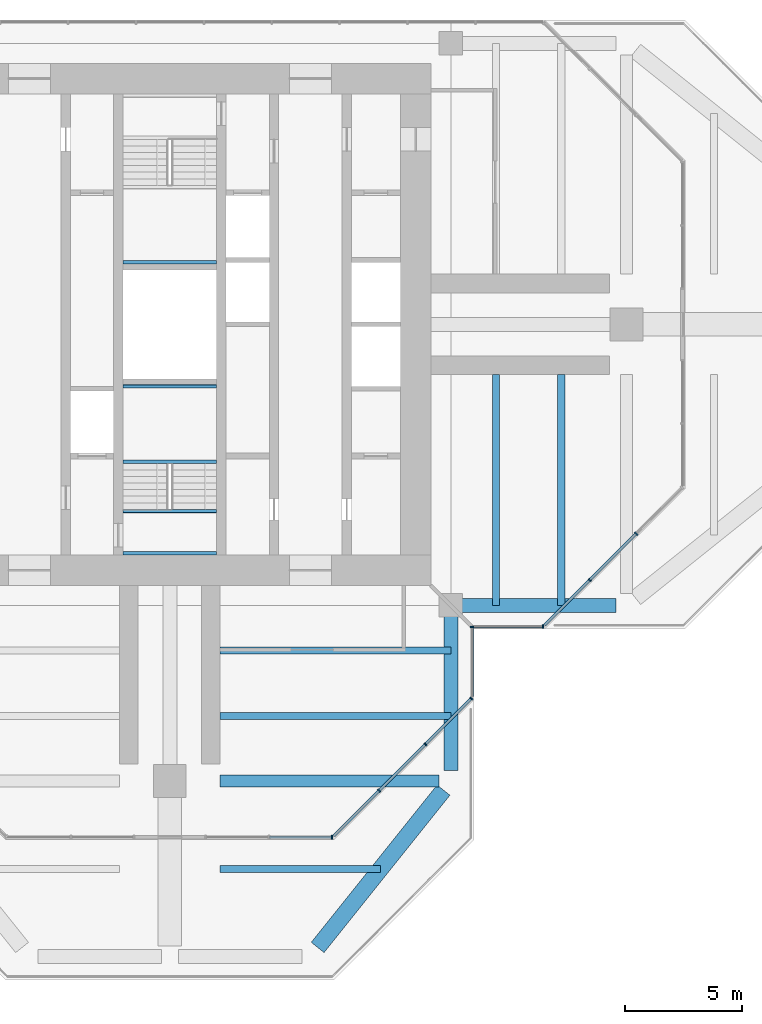
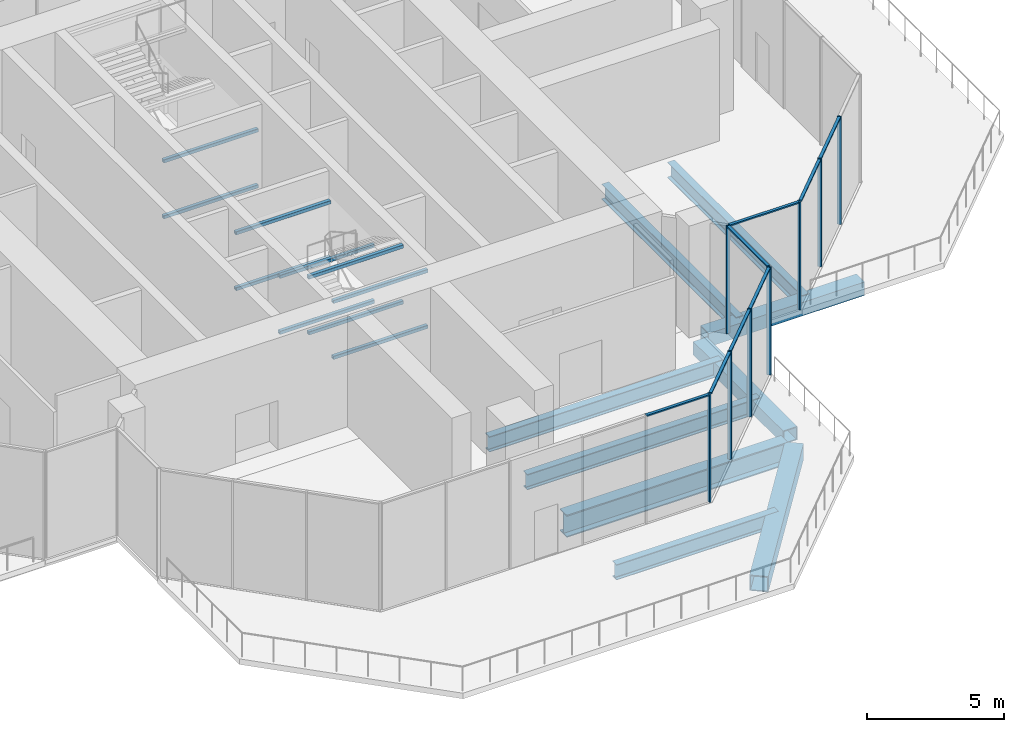
# One storey, part 4 of 13: 19 beams, 16 members, 5 elements without a shape of their own.
"""IFC4 building model written with IfcOpenShell, lengths in metres."""

from ifc_helpers import new_model, si_unit, direction, frame, origin, origin_2d, place, context, subcontext, project, spatial, rectangle, hollow_rectangle, i_section, extrude, material, material_profile, profile_set, type_object, element, aggregate, save


model = new_model("IFC4")

# Units and contexts
model_context = context("Model", 3, precision=1e-05, world=origin(), true_north=direction((0.0, 1.0)))
body_context = subcontext(model_context, "Body", "Model", "MODEL_VIEW")
ifc_project = project(units=[si_unit("LENGTHUNIT", "METRE"), si_unit("AREAUNIT", "SQUARE_METRE"), si_unit("VOLUMEUNIT", "CUBIC_METRE"), si_unit("PLANEANGLEUNIT", "RADIAN"), si_unit("MASSUNIT", "GRAM", prefix="KILO")], contexts=[model_context])

# Site, building, storey
site_placement = place(None, origin())
site = spatial("IfcSite", under=ifc_project, at=site_placement, CompositionType="ELEMENT")
building_placement = place(site_placement, origin())
building = spatial("IfcBuilding", under=site, at=building_placement, Name="Mizan Broadcast Tower", CompositionType="ELEMENT")
storey_placement = place(building_placement, frame((0.0, 0.0, 306.300048828125)))
storey = spatial("IfcBuildingStorey", under=building, at=storey_placement, Name="L73", CompositionType="ELEMENT", Elevation=306.300048828125)

# Beams
ifc_material_1 = material(Name="Steel S355", Category="steel")
ifc_material_profile_1 = material_profile(ifc_material_1, hollow_rectangle(XDim=0.60009765625, YDim=0.60009765625, WallThickness=0.0400390625, at=origin_2d()), Name="BOX 600x600x40")
ifc_profile_set_1 = profile_set([ifc_material_profile_1], Name="Steel S355")
beam_type_1 = type_object("IfcBeamType", Name="EDGE BEAM BOX 600x600x40", PredefinedType="SPANDREL", material=ifc_profile_set_1)
for number, where, z_axis, x_axis, name in (
    (1, (12.449951171875, -12.0, -0.550048828125), (1.0, 0.0, 0.0), (0.0, 1.0, 0.0), "Edge beam BOX 600x600x40 L73 east arm"),
    (2, (12.0, -12.449951171875, -0.550048828125), (0.0, -1.0, 0.0), (1.0, 0.0, 0.0), "Edge beam BOX 600x600x40 L73 south arm"),
):
    element("IfcBeam", number, at=place(storey_placement, frame(where, z_axis=z_axis, x_axis=x_axis)), inside=storey, type_object=beam_type_1, Name=name, PredefinedType="SPANDREL", context=body_context, shape_type="SweptSolid", body=[
        extrude(hollow_rectangle(XDim=0.60009765625, YDim=0.60009765625, WallThickness=0.0400390625, at=origin_2d()), origin(), (0.0, 0.0, 1.0), 6.60009765625),
    ])
ifc_material_2 = material(Name="Steel S355", Category="steel")
ifc_material_profile_2 = material_profile(ifc_material_2, hollow_rectangle(XDim=0.699951171875, YDim=0.699951171875, WallThickness=0.0400390625, at=origin_2d()), Name="BOX 700x700x40")
ifc_profile_set_2 = profile_set([ifc_material_profile_2], Name="Steel S355")
beam_type_2 = type_object("IfcBeamType", Name="EDGE BEAM BOX 700x700x40", PredefinedType="SPANDREL", material=ifc_profile_set_2)
beam_1_placement = place(storey_placement, frame((11.687744140625, -19.890380859375, -0.60009765625), z_axis=(-0.62470196761, -0.780863273348, 0.0), x_axis=(0.780863273348, -0.62470196761, 0.0)))
element("IfcBeam", 3, at=beam_1_placement, inside=storey, type_object=beam_type_2, Name="Edge beam BOX 700x700x40 L73 south arm", PredefinedType="SPANDREL", context=body_context, shape_type="SweptSolid", body=[
    extrude(hollow_rectangle(XDim=0.699951171875, YDim=0.699951171875, WallThickness=0.0400390625, at=origin_2d()), origin(), (0.0, 0.0, 1.0), 8.60498046875),
])
ifc_material_3 = material(Name="Steel S460", Category="steel")
ifc_material_profile_3 = material_profile(ifc_material_3, i_section(OverallWidth=0.5, OverallDepth=1.0, WebThickness=0.02490234375, FlangeThickness=0.050048828125, at=origin_2d()), Name="WPG 1000x500")
ifc_profile_set_3 = profile_set([ifc_material_profile_3], Name="Steel S460")
beam_type_3 = type_object("IfcBeamType", Name="GIRDER WPG 1000x500", PredefinedType="BEAM", material=ifc_profile_set_3)
beam_2_placement = place(storey_placement, frame((11.5, -19.5, -0.75), z_axis=(-1.0, 0.0, 0.0), x_axis=(0.0, -1.0, 0.0)))
element("IfcBeam", 4, at=beam_2_placement, inside=storey, type_object=beam_type_3, Name="Girder WPG 1000x500 L73 south arm", PredefinedType="BEAM", context=body_context, shape_type="SweptSolid", body=[
    extrude(i_section(OverallWidth=0.5, OverallDepth=1.0, WebThickness=0.02490234375, FlangeThickness=0.050048828125, at=origin_2d()), origin(), (0.0, 0.0, 1.0), 9.35009765625),
])

# Curtain wall, member
ifc_material_4 = material(Name="Aluminium framed glazing", Category="aluminium")
curtain_wall_type = type_object("IfcCurtainWallType", Name="LANTERN", PredefinedType="USERDEFINED", material=ifc_material_4)
curtain_wall_1_placement = place(storey_placement, origin())
curtain_wall_1 = element("IfcCurtainWall", 5, at=curtain_wall_1_placement, inside=storey, type_object=curtain_wall_type, Name="Lantern L73 E side", ObjectType="LANTERN", PredefinedType="USERDEFINED")
ifc_material_5 = material(Name="Aluminium, pale anodised", Category="aluminium")
ifc_material_profile_4 = material_profile(ifc_material_5, rectangle(XDim=0.159912109375, YDim=0.06005859375, at=origin_2d()), Name="MULLION 160x60")
ifc_profile_set_4 = profile_set([ifc_material_profile_4], Name="Aluminium, pale anodised")
member_type_1 = type_object("IfcMemberType", Name="INNER SKIN MULLION 60x160", PredefinedType="MULLION", material=ifc_profile_set_4)
member_1_placement = place(storey_placement, frame((15.928466796875, -12.89990234375, 0.0), z_axis=(0.0, 0.0, 1.0), x_axis=(0.0, 1.0, 0.0)))
member_1 = element("IfcMember", 6, at=member_1_placement, type_object=member_type_1, Name="Lantern L73 E side mullion 2", PredefinedType="MULLION", context=body_context, shape_type="SweptSolid", body=[
    extrude(rectangle(XDim=0.159912109375, YDim=0.06005859375, at=origin_2d()), origin(), (0.0, 0.0, 1.0), 4.820068359375),
])

# Curtain wall, members
curtain_wall_2_placement = place(storey_placement, origin())
curtain_wall_2 = element("IfcCurtainWall", 7, at=curtain_wall_2_placement, inside=storey, type_object=curtain_wall_type, Name="Lantern L73 E chamfer", ObjectType="LANTERN", PredefinedType="USERDEFINED")
member_2_placement = place(storey_placement, frame((17.93896484375, -10.91943359375, 0.0), z_axis=(0.0, 0.0, 1.0), x_axis=(-0.707106781187, 0.707106781187, 0.0)))
member_2 = element("IfcMember", 8, at=member_2_placement, type_object=member_type_1, Name="Lantern L73 E chamfer mullion 2", PredefinedType="MULLION", context=body_context, shape_type="SweptSolid", body=[
    extrude(rectangle(XDim=0.159912109375, YDim=0.06005859375, at=origin_2d()), origin(), (0.0, 0.0, 1.0), 4.820068359375),
])
member_3_placement = place(storey_placement, frame((19.91943359375, -8.93896484375, 0.0), z_axis=(0.0, 0.0, 1.0), x_axis=(-0.707106781187, 0.707106781187, 0.0)))
member_3 = element("IfcMember", 9, at=member_3_placement, type_object=member_type_1, Name="Lantern L73 E chamfer mullion 3", PredefinedType="MULLION", context=body_context, shape_type="SweptSolid", body=[
    extrude(rectangle(XDim=0.159912109375, YDim=0.06005859375, at=origin_2d()), origin(), (0.0, 0.0, 1.0), 4.820068359375),
])

# Curtain wall, member
curtain_wall_3_placement = place(storey_placement, origin())
curtain_wall_3 = element("IfcCurtainWall", 10, at=curtain_wall_3_placement, inside=storey, type_object=curtain_wall_type, Name="Lantern L73 S end", ObjectType="LANTERN", PredefinedType="USERDEFINED")
member_4_placement = place(storey_placement, frame((6.928466796875, -21.89990234375, 0.0), z_axis=(0.0, 0.0, 1.0), x_axis=(0.0, 1.0, 0.0)))
member_4 = element("IfcMember", 11, at=member_4_placement, type_object=member_type_1, Name="Lantern L73 S end mullion 3", PredefinedType="MULLION", context=body_context, shape_type="SweptSolid", body=[
    extrude(rectangle(XDim=0.159912109375, YDim=0.06005859375, at=origin_2d()), origin(), (0.0, 0.0, 1.0), 4.820068359375),
])

# Curtain wall, members
curtain_wall_4_placement = place(storey_placement, origin())
curtain_wall_4 = element("IfcCurtainWall", 12, at=curtain_wall_4_placement, inside=storey, type_object=curtain_wall_type, Name="Lantern L73 S chamfer", ObjectType="LANTERN", PredefinedType="USERDEFINED")
member_5_placement = place(storey_placement, frame((8.93896484375, -19.91943359375, 0.0), z_axis=(0.0, 0.0, 1.0), x_axis=(-0.707106781187, 0.707106781187, 0.0)))
member_5 = element("IfcMember", 13, at=member_5_placement, type_object=member_type_1, Name="Lantern L73 S chamfer mullion 2", PredefinedType="MULLION", context=body_context, shape_type="SweptSolid", body=[
    extrude(rectangle(XDim=0.159912109375, YDim=0.06005859375, at=origin_2d()), origin(), (0.0, 0.0, 1.0), 4.820068359375),
])
member_6_placement = place(storey_placement, frame((10.91943359375, -17.93896484375, 0.0), z_axis=(0.0, 0.0, 1.0), x_axis=(-0.707106781187, 0.707106781187, 0.0)))
member_6 = element("IfcMember", 14, at=member_6_placement, type_object=member_type_1, Name="Lantern L73 S chamfer mullion 3", PredefinedType="MULLION", context=body_context, shape_type="SweptSolid", body=[
    extrude(rectangle(XDim=0.159912109375, YDim=0.06005859375, at=origin_2d()), origin(), (0.0, 0.0, 1.0), 4.820068359375),
])
member_7_placement = place(storey_placement, frame((12.87890625, -15.979736328125, 0.0), z_axis=(0.0, 0.0, 1.0), x_axis=(-0.707106781187, 0.707106781187, 0.0)))
member_7 = element("IfcMember", 15, at=member_7_placement, type_object=member_type_1, Name="Lantern L73 S chamfer mullion 4", PredefinedType="MULLION", context=body_context, shape_type="SweptSolid", body=[
    extrude(rectangle(XDim=0.159912109375, YDim=0.06005859375, at=origin_2d()), origin(), (0.0, 0.0, 1.0), 4.820068359375),
])

# Curtain wall, member
curtain_wall_5_placement = place(storey_placement, origin())
curtain_wall_5 = element("IfcCurtainWall", 16, at=curtain_wall_5_placement, inside=storey, type_object=curtain_wall_type, Name="Lantern L73 S side", ObjectType="LANTERN", PredefinedType="USERDEFINED")
member_8_placement = place(storey_placement, frame((12.89990234375, -12.929931640625, 0.0), z_axis=(0.0, 0.0, 1.0), x_axis=(-1.0, 0.0, 0.0)))
member_8 = element("IfcMember", 17, at=member_8_placement, type_object=member_type_1, Name="Lantern L73 S side mullion 2", PredefinedType="MULLION", context=body_context, shape_type="SweptSolid", body=[
    extrude(rectangle(XDim=0.159912109375, YDim=0.06005859375, at=origin_2d()), origin(), (0.0, 0.0, 1.0), 4.820068359375),
])

# Member
ifc_material_6 = material(Name="Aluminium, pale anodised", Category="aluminium")
ifc_material_profile_5 = material_profile(ifc_material_6, rectangle(XDim=0.1201171875, YDim=0.06005859375, at=origin_2d()), Name="TRANSOM 120x60")
ifc_profile_set_5 = profile_set([ifc_material_profile_5], Name="Aluminium, pale anodised")
member_type_2 = type_object("IfcMemberType", Name="INNER SKIN TRANSOM 60x120", PredefinedType="USERDEFINED", material=ifc_profile_set_5)
member_9_placement = place(storey_placement, frame((12.9599609375, -12.89990234375, 4.7900390625), z_axis=(1.0, 0.0, 0.0), x_axis=(0.0, 1.0, 0.0)))
member_9 = element("IfcMember", 18, at=member_9_placement, type_object=member_type_2, Name="Lantern L73 E side transom 1.1", ObjectType="TRANSOM", PredefinedType="USERDEFINED", context=body_context, shape_type="SweptSolid", body=[
    extrude(rectangle(XDim=0.1201171875, YDim=0.06005859375, at=origin_2d()), origin(), (0.0, 0.0, 1.0), 2.938720703125),
])

aggregate(curtain_wall_1, [member_1, member_9])

member_10_placement = place(storey_placement, frame((16.0009765625, -12.857666015625, 4.7900390625), z_axis=(0.707061749709, 0.707151809797, 0.0), x_axis=(-0.707151809797, 0.707061749709, 0.0)))
member_10 = element("IfcMember", 19, at=member_10_placement, type_object=member_type_2, Name="Lantern L73 E chamfer transom 1.1", ObjectType="TRANSOM", PredefinedType="USERDEFINED", context=body_context, shape_type="SweptSolid", body=[
    extrude(rectangle(XDim=0.1201171875, YDim=0.06005859375, at=origin_2d()), origin(), (0.0, 0.0, 1.0), 2.7109375),
])

member_11_placement = place(storey_placement, frame((17.960205078125, -10.898193359375, 4.7900390625), z_axis=(0.707106781187, 0.707106781187, 0.0), x_axis=(-0.707106781187, 0.707106781187, 0.0)))
member_11 = element("IfcMember", 20, at=member_11_placement, type_object=member_type_2, Name="Lantern L73 E chamfer transom 2.1", ObjectType="TRANSOM", PredefinedType="USERDEFINED", context=body_context, shape_type="SweptSolid", body=[
    extrude(rectangle(XDim=0.1201171875, YDim=0.06005859375, at=origin_2d()), origin(), (0.0, 0.0, 1.0), 2.74072265625),
])

aggregate(curtain_wall_2, [member_2, member_3, member_10, member_11])

member_12_placement = place(storey_placement, frame((4.25927734375, -21.89990234375, 4.7900390625), z_axis=(1.0, 0.0, 0.0), x_axis=(0.0, 1.0, 0.0)))
member_12 = element("IfcMember", 21, at=member_12_placement, type_object=member_type_2, Name="Lantern L73 S end transom 2.1", ObjectType="TRANSOM", PredefinedType="USERDEFINED", context=body_context, shape_type="SweptSolid", body=[
    extrude(rectangle(XDim=0.1201171875, YDim=0.06005859375, at=origin_2d()), origin(), (0.0, 0.0, 1.0), 2.639404296875),
])

aggregate(curtain_wall_3, [member_4, member_12])

member_13_placement = place(storey_placement, frame((7.0009765625, -21.857666015625, 4.7900390625), z_axis=(0.707061749709, 0.707151809797, 0.0), x_axis=(-0.707151809797, 0.707061749709, 0.0)))
member_13 = element("IfcMember", 22, at=member_13_placement, type_object=member_type_2, Name="Lantern L73 S chamfer transom 1.1", ObjectType="TRANSOM", PredefinedType="USERDEFINED", context=body_context, shape_type="SweptSolid", body=[
    extrude(rectangle(XDim=0.1201171875, YDim=0.06005859375, at=origin_2d()), origin(), (0.0, 0.0, 1.0), 2.7109375),
])

member_14_placement = place(storey_placement, frame((8.960205078125, -19.898193359375, 4.7900390625), z_axis=(0.707106781187, 0.707106781187, 0.0), x_axis=(-0.707106781187, 0.707106781187, 0.0)))
member_14 = element("IfcMember", 23, at=member_14_placement, type_object=member_type_2, Name="Lantern L73 S chamfer transom 2.1", ObjectType="TRANSOM", PredefinedType="USERDEFINED", context=body_context, shape_type="SweptSolid", body=[
    extrude(rectangle(XDim=0.1201171875, YDim=0.06005859375, at=origin_2d()), origin(), (0.0, 0.0, 1.0), 2.74072265625),
])

member_15_placement = place(storey_placement, frame((10.940673828125, -17.917724609375, 4.7900390625), z_axis=(0.707151809797, 0.707061749709, 0.0), x_axis=(-0.707061749709, 0.707151809797, 0.0)))
member_15 = element("IfcMember", 24, at=member_15_placement, type_object=member_type_2, Name="Lantern L73 S chamfer transom 3.1", ObjectType="TRANSOM", PredefinedType="USERDEFINED", context=body_context, shape_type="SweptSolid", body=[
    extrude(rectangle(XDim=0.1201171875, YDim=0.06005859375, at=origin_2d()), origin(), (0.0, 0.0, 1.0), 2.7109375),
])

aggregate(curtain_wall_4, [member_5, member_6, member_7, member_13, member_14, member_15])

member_16_placement = place(storey_placement, frame((12.89990234375, -15.898681640625, 4.7900390625), z_axis=(0.0, 1.0, 0.0), x_axis=(-1.0, 0.0, 0.0)))
member_16 = element("IfcMember", 25, at=member_16_placement, type_object=member_type_2, Name="Lantern L73 S side transom 1.1", ObjectType="TRANSOM", PredefinedType="USERDEFINED", context=body_context, shape_type="SweptSolid", body=[
    extrude(rectangle(XDim=0.1201171875, YDim=0.06005859375, at=origin_2d()), origin(), (0.0, 0.0, 1.0), 2.938720703125),
])

aggregate(curtain_wall_5, [member_8, member_16])

# Beams
ifc_material_7 = material(Name="Steel S355", Category="steel")
ifc_material_profile_6 = material_profile(ifc_material_7, hollow_rectangle(XDim=0.14990234375, YDim=0.14990234375, WallThickness=0.008056640625, InnerFilletRadius=0.008056640625, OuterFilletRadius=0.011962890625, at=origin_2d()), Name="SHS 150x150x8")
ifc_profile_set_6 = profile_set([ifc_material_profile_6], Name="Steel S355")
beam_type_4 = type_object("IfcBeamType", Name="LANDING TRIMMER SHS 150x150x8", PredefinedType="BEAM", material=ifc_profile_set_6)
for number, where, z_axis, x_axis, name in (
    (26, (-2.0, -5.864990234375, 0.974853515625), (1.0, 0.0, 0.0), (0.0, 1.0, 0.0), "Stair A landing trimmer L73"),
    (27, (-2.0, -2.64990234375, 0.974853515625), (1.0, 0.0, 0.0), (0.0, 1.0, 0.0), "Stair A landing trimmer L73"),
    (28, (-2.0, -9.77490234375, 2.224853515625), (1.0, 0.0, 0.0), (0.0, 1.0, 0.0), "Stair A landing trimmer L73"),
    (29, (-2.0, -7.97509765625, 2.224853515625), (1.0, 0.0, 0.0), (0.0, 1.0, 0.0), "Stair A landing trimmer L73"),
    (30, (-2.0, -5.864990234375, 3.474853515625), (1.0, 0.0, 0.0), (0.0, 1.0, 0.0), "Stair A landing trimmer L73"),
    (31, (-2.0, -2.64990234375, 3.474853515625), (1.0, 0.0, 0.0), (0.0, 1.0, 0.0), "Stair A landing trimmer L73"),
    (32, (-2.0, -9.77490234375, 4.724853515625), (1.0, 0.0, 0.0), (0.0, 1.0, 0.0), "Stair A landing trimmer L73"),
    (33, (-2.0, -7.97509765625, 4.724853515625), (1.0, 0.0, 0.0), (0.0, 1.0, 0.0), "Stair A landing trimmer L73"),
    (34, (2.0, 2.64990234375, 0.974853515625), (-1.0, 0.0, 0.0), (0.0, -1.0, 0.0), "Stair B landing trimmer L73"),
    (35, (2.0, 2.64990234375, 3.474853515625), (-1.0, 0.0, 0.0), (0.0, -1.0, 0.0), "Stair B landing trimmer L73"),
):
    element("IfcBeam", number, at=place(storey_placement, frame(where, z_axis=z_axis, x_axis=x_axis)), inside=storey, type_object=beam_type_4, Name=name, PredefinedType="BEAM", context=body_context, shape_type="SweptSolid", body=[
        extrude(hollow_rectangle(XDim=0.14990234375, YDim=0.14990234375, WallThickness=0.008056640625, InnerFilletRadius=0.008056640625, OuterFilletRadius=0.011962890625, at=origin_2d()), origin(), (0.0, 0.0, 1.0), 4.0),
    ])
ifc_material_8 = material(Name="Steel S355", Category="steel")
ifc_material_profile_7 = material_profile(ifc_material_8, i_section(OverallWidth=0.300048828125, OverallDepth=0.68994140625, WebThickness=0.014404296875, FlangeThickness=0.027099609375, FilletRadius=0.027099609375, at=origin_2d()), Name="HEA 700")
ifc_profile_set_7 = profile_set([ifc_material_profile_7], Name="Steel S355")
beam_type_5 = type_object("IfcBeamType", Name="SECONDARY BEAM HEA 700", PredefinedType="JOIST", material=ifc_profile_set_7)
for number, where, z_axis, x_axis, name in (
    (36, (13.933349609375, -12.0, -0.525146484375), (0.0, 1.0, 0.0), (-1.0, 0.0, 0.0), "Secondary beam HEA 700 L73 east arm"),
    (37, (16.716552734375, -12.0, -0.525146484375), (0.0, 1.0, 0.0), (-1.0, 0.0, 0.0), "Secondary beam HEA 700 L73 east arm"),
    (38, (12.0, -13.933349609375, -0.525146484375), (-1.0, 0.0, 0.0), (0.0, -1.0, 0.0), "Secondary beam HEA 700 L73 south arm"),
    (39, (12.0, -16.716552734375, -0.525146484375), (-1.0, 0.0, 0.0), (0.0, -1.0, 0.0), "Secondary beam HEA 700 L73 south arm"),
):
    element("IfcBeam", number, at=place(storey_placement, frame(where, z_axis=z_axis, x_axis=x_axis)), inside=storey, type_object=beam_type_5, Name=name, PredefinedType="JOIST", context=body_context, shape_type="SweptSolid", body=[
        extrude(i_section(OverallWidth=0.300048828125, OverallDepth=0.68994140625, WebThickness=0.014404296875, FlangeThickness=0.027099609375, FilletRadius=0.027099609375, at=origin_2d()), origin(), (0.0, 0.0, 1.0), 9.85009765625),
    ])
beam_3_placement = place(storey_placement, frame((9.0, -23.25, -0.594970703125), z_axis=(-1.0, 0.0, 0.0), x_axis=(0.0, -1.0, 0.0)))
element("IfcBeam", 40, at=beam_3_placement, inside=storey, type_object=beam_type_5, Name="Secondary beam HEA 700 L73 south arm", PredefinedType="JOIST", context=body_context, shape_type="SweptSolid", body=[
    extrude(i_section(OverallWidth=0.300048828125, OverallDepth=0.68994140625, WebThickness=0.014404296875, FlangeThickness=0.027099609375, FilletRadius=0.027099609375, at=origin_2d()), origin(), (0.0, 0.0, 1.0), 6.85009765625),
])

save(model, "model.ifc")
